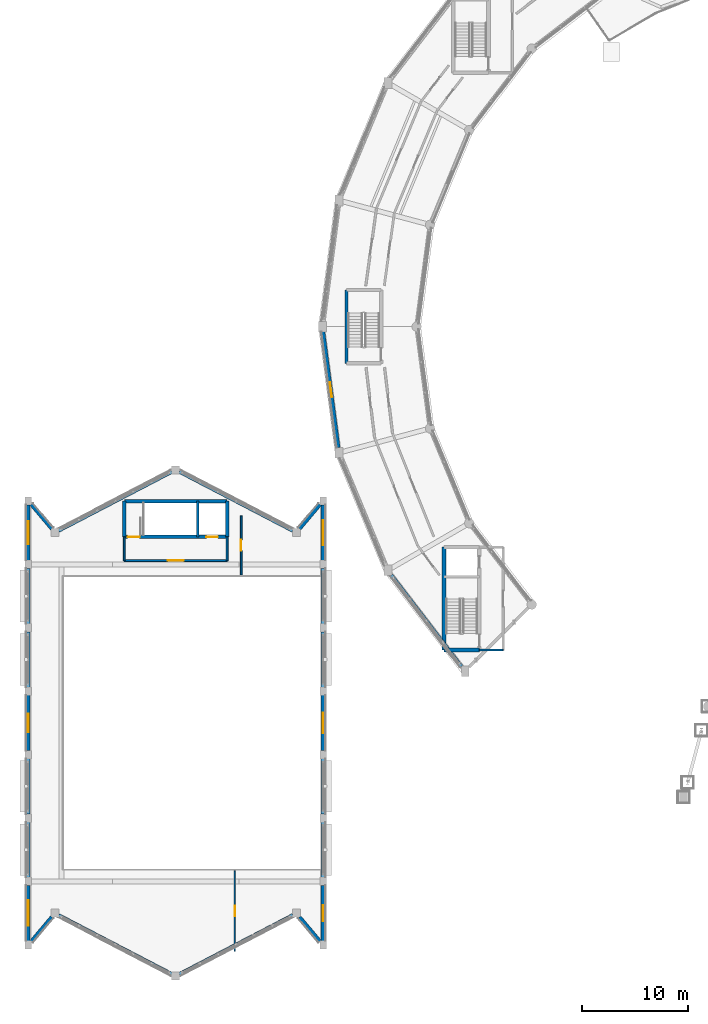
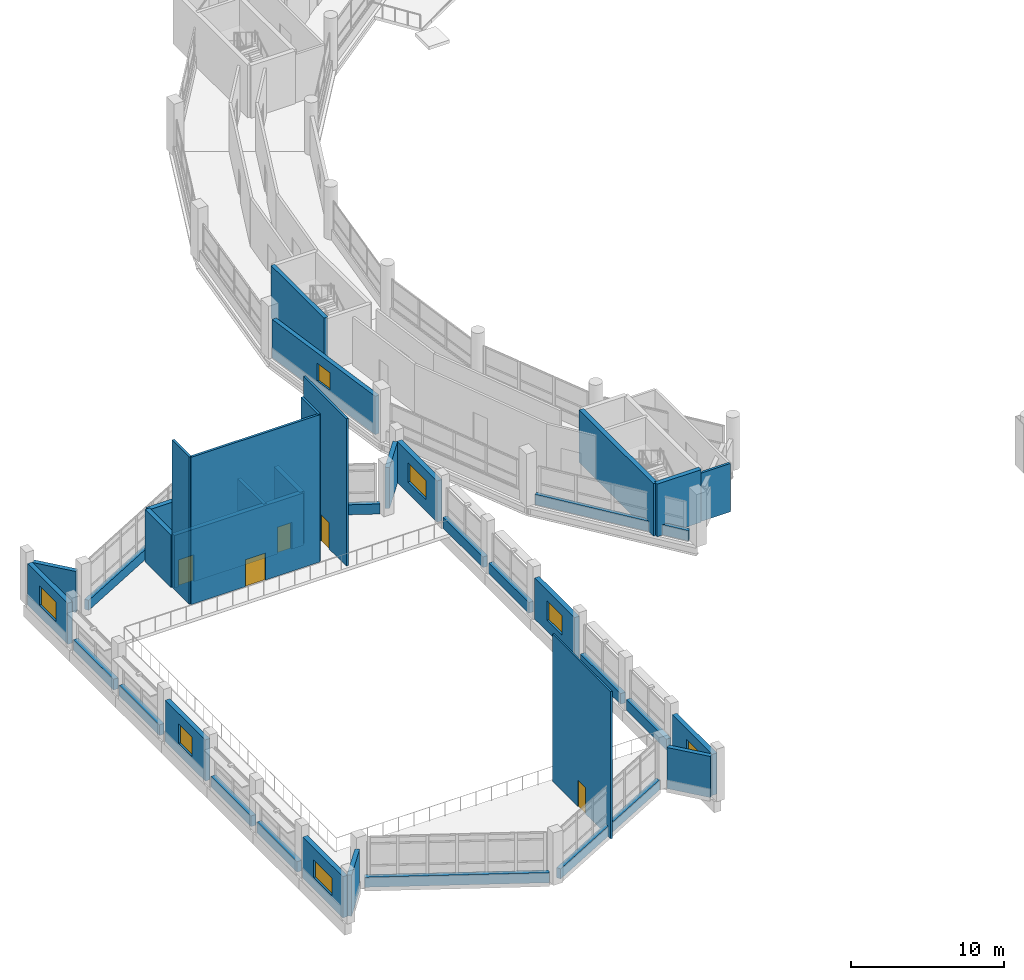
# One storey, part 108 of 128: 38 walls, 7 windows, 5 doors, 12 openings.
"""IFC4 building model written with IfcOpenShell, lengths in metres."""

from ifc_helpers import new_model, si_unit, direction, frame, frame_2d, origin, place, context, subcontext, project, spatial, rectangle, extrude, material, layer, layer_set, type_object, element, fill, save


model = new_model("IFC4")

# Units and contexts
model_context = context("Model", 3, precision=1e-05, world=origin(), true_north=direction((0.0, 1.0)))
body_context = subcontext(model_context, "Body", "Model", "MODEL_VIEW")
ifc_project = project(units=[si_unit("LENGTHUNIT", "METRE"), si_unit("AREAUNIT", "SQUARE_METRE"), si_unit("VOLUMEUNIT", "CUBIC_METRE"), si_unit("PLANEANGLEUNIT", "RADIAN"), si_unit("MASSUNIT", "GRAM", prefix="KILO")], contexts=[model_context])

# Site, building, storey
site_placement = place(None, origin())
site = spatial("IfcSite", under=ifc_project, at=site_placement, CompositionType="ELEMENT")
building_placement = place(site_placement, origin())
building = spatial("IfcBuilding", under=site, at=building_placement, Name="Vespera Passage Community Centre", CompositionType="ELEMENT")
storey_placement = place(building_placement, frame((0.0, 0.0, 4.5)))
storey = spatial("IfcBuildingStorey", under=building, at=storey_placement, Name="L01", CompositionType="ELEMENT", Elevation=4.5)

# Walls
ifc_material_1 = material(Name="Concrete f'c 45 MPa", Category="concrete")
ifc_layer_1 = layer(ifc_material_1, 0.300048828125)
ifc_layer_set_1 = layer_set([ifc_layer_1], Name="Concrete f'c 45 MPa")
wall_type_1 = type_object("IfcWallType", Name="WT-CORE-300I", PredefinedType="SHEAR", material=ifc_layer_set_1)
wall_1_placement = place(storey_placement, frame((34.14990234375, 62.02490234375, 0.0), z_axis=(0.0, 0.0, 1.0), x_axis=(0.0, 1.0, 0.0)))
element("IfcWall", 1, at=wall_1_placement, inside=storey, type_object=wall_type_1, Name="Core C2 L01 Shear Wall BACK", PredefinedType="SHEAR", context=body_context, shape_type="SweptSolid", body=[
    extrude(rectangle(XDim=6.9501953125, YDim=0.300048828125, at=frame_2d((3.47509765625, 0.0))), origin(), (0.0, 0.0, 1.0), 4.199951171875),
])
ifc_material_2 = material(Name="Concrete f'c 45 MPa", Category="concrete")
ifc_layer_2 = layer(ifc_material_2, 0.340087890625)
ifc_layer_set_2 = layer_set([ifc_layer_2], Name="Concrete f'c 45 MPa")
wall_type_2 = type_object("IfcWallType", Name="WT-CORE-340I", PredefinedType="SHEAR", material=ifc_layer_set_2)
wall_2_placement = place(storey_placement, frame((46.73095703125, 34.89990234375, 0.0), z_axis=(0.0, 0.0, 1.0), x_axis=(-1.0, 0.0, 0.0)))
element("IfcWall", 2, at=wall_2_placement, inside=storey, type_object=wall_type_2, Name="Core C3 L01 Shear Wall LEFT", PredefinedType="SHEAR", context=body_context, shape_type="SweptSolid", body=[
    extrude(rectangle(XDim=3.33984375, YDim=0.340087890625, at=frame_2d((1.669921875, 0.0))), origin(), (0.0, 0.0, 1.0), 4.199951171875),
])
wall_3_placement = place(storey_placement, frame((43.39111328125, 34.89990234375, 0.0), z_axis=(0.0, 0.0, 1.0), x_axis=(0.0, 1.0, 0.0)))
element("IfcWall", 3, at=wall_3_placement, inside=storey, type_object=wall_type_2, Name="Core C3 L01 Shear Wall BACK", PredefinedType="SHEAR", context=body_context, shape_type="SweptSolid", body=[
    extrude(rectangle(XDim=9.72998046875, YDim=0.340087890625, at=frame_2d((4.864990234375, 0.0))), origin(), (0.0, 0.0, 1.0), 4.199951171875),
])

# Wall, openings, doors
wall_4_placement = place(storey_placement, frame((22.864990234375, 45.610107421875, 0.0), z_axis=(0.0, 0.0, 1.0), x_axis=(-1.0, 0.0, 0.0)))
wall_4 = element("IfcWall", 4, at=wall_4_placement, inside=storey, type_object=wall_type_2, Name="Core C5 L01 Shear Wall FRONT", PredefinedType="SHEAR", context=body_context, shape_type="SweptSolid", body=[
    extrude(rectangle(XDim=9.72998046875, YDim=0.340087890625, at=frame_2d((4.864990234375, 0.0))), origin(), (0.0, 0.0, 1.0), 4.199951171875),
])
opening_1_placement = place(wall_4_placement, frame((8.264892578125, 0.0, 0.0)))
opening_1 = element("IfcOpeningElement", 5, at=opening_1_placement, cuts=wall_4, Name="Opening DT-STAIR-90", PredefinedType="OPENING", context=body_context, shape_type="SweptSolid", body=[
    extrude(rectangle(XDim=1.14990234375, YDim=2.14990234375, at=frame_2d((0.574951171875, 1.074951171875))), frame((0.0, 0.179931640625, 0.0), z_axis=(0.0, -1.0, 0.0), x_axis=(1.0, 0.0, 0.0)), (0.0, 0.0, 1.0), 0.360107421875),
])
opening_2_placement = place(wall_4_placement, frame((0.8701171875, 0.0, 0.0)))
opening_2 = element("IfcOpeningElement", 6, at=opening_2_placement, cuts=wall_4, Name="Opening DT-LIFT-110", PredefinedType="OPENING", context=body_context, shape_type="SweptSolid", body=[
    extrude(rectangle(XDim=1.10009765625, YDim=2.14990234375, at=frame_2d((0.550048828125, 1.074951171875))), frame((0.0, 0.179931640625, 0.0), z_axis=(0.0, -1.0, 0.0), x_axis=(1.0, 0.0, 0.0)), (0.0, 0.0, 1.0), 0.360107421875),
])
ifc_material_3 = material(Name="Painted hollow-metal acoustic door", Category="steel")
door_type_1 = type_object("IfcDoorType", Name="DT-LIFT-110", OperationType="NOTDEFINED", PredefinedType="DOOR", material=ifc_material_3)
door_1_placement = place(opening_2_placement, origin())
door_1 = element("IfcDoor", 7, at=door_1_placement, inside=storey, type_object=door_type_1, Name="Elevator EL-04 L01 Landing Door LD-025", OperationType="SLIDING_TO_LEFT", OverallHeight=2.14990234375, OverallWidth=1.10009765625, PredefinedType="DOOR", context=body_context, shape_type="SweptSolid", body=[
    extrude(rectangle(XDim=1.10009765625, YDim=2.14990234375, at=frame_2d((0.550048828125, 1.074951171875))), frame((0.0, 0.02490234375, 0.0), z_axis=(0.0, -1.0, 0.0), x_axis=(1.0, 0.0, 0.0)), (0.0, 0.0, 1.0), 0.050048828125),
])
fill(opening_2, door_1)
ifc_material_4 = material(Name="Painted hollow-metal acoustic door", Category="steel")
door_type_2 = type_object("IfcDoorType", Name="DT-STAIR-90", OperationType="NOTDEFINED", PredefinedType="DOOR", material=ifc_material_4)
door_2_placement = place(opening_1_placement, origin())
door_2 = element("IfcDoor", 8, at=door_2_placement, inside=storey, type_object=door_type_2, Name="Core C5 L01 Exit Stair Door D-104", OperationType="SINGLE_SWING_RIGHT", OverallHeight=2.14990234375, OverallWidth=1.14990234375, PredefinedType="DOOR", context=body_context, shape_type="SweptSolid", body=[
    extrude(rectangle(XDim=1.14990234375, YDim=2.14990234375, at=frame_2d((0.574951171875, 1.074951171875))), frame((0.0, 0.02490234375, 0.0), z_axis=(0.0, -1.0, 0.0), x_axis=(1.0, 0.0, 0.0)), (0.0, 0.0, 1.0), 0.050048828125),
])
fill(opening_1, door_2)

# Walls
wall_5_placement = place(storey_placement, frame((13.135009765625, 45.610107421875, 0.0), z_axis=(0.0, 0.0, 1.0), x_axis=(0.0, 1.0, 0.0)))
element("IfcWall", 9, at=wall_5_placement, inside=storey, type_object=wall_type_2, Name="Core C5 L01 Shear Wall LEFT", PredefinedType="SHEAR", context=body_context, shape_type="SweptSolid", body=[
    extrude(rectangle(XDim=3.3798828125, YDim=0.340087890625, at=frame_2d((1.68994140625, 0.0))), origin(), (0.0, 0.0, 1.0), 4.199951171875),
])
wall_6_placement = place(storey_placement, frame((13.135009765625, 48.989990234375, 0.0), z_axis=(0.0, 0.0, 1.0), x_axis=(1.0, 0.0, 0.0)))
element("IfcWall", 10, at=wall_6_placement, inside=storey, type_object=wall_type_2, Name="Core C5 L01 Shear Wall BACK", PredefinedType="SHEAR", context=body_context, shape_type="SweptSolid", body=[
    extrude(rectangle(XDim=9.72998046875, YDim=0.340087890625, at=frame_2d((4.864990234375, 0.0))), origin(), (0.0, 0.0, 1.0), 4.199951171875),
])
wall_7_placement = place(storey_placement, frame((22.864990234375, 48.989990234375, 0.0), z_axis=(0.0, 0.0, 1.0), x_axis=(0.0, -1.0, 0.0)))
element("IfcWall", 11, at=wall_7_placement, inside=storey, type_object=wall_type_2, Name="Core C5 L01 Shear Wall RIGHT", PredefinedType="SHEAR", context=body_context, shape_type="SweptSolid", body=[
    extrude(rectangle(XDim=3.3798828125, YDim=0.340087890625, at=frame_2d((1.68994140625, 0.0))), origin(), (0.0, 0.0, 1.0), 4.199951171875),
])
ifc_material_5 = material(Name="Gypsum board acoustic stud partition")
ifc_layer_3 = layer(ifc_material_5, 0.179931640625)
ifc_layer_set_3 = layer_set([ifc_layer_3], Name="Gypsum board acoustic stud partition")
wall_type_3 = type_object("IfcWallType", Name="WT-CORR-180I", PredefinedType="PARTITIONING", material=ifc_layer_set_3)
wall_8_placement = place(storey_placement, frame((46.73095703125, 34.89990234375, 0.0), z_axis=(0.0, 0.0, 1.0), x_axis=(1.0, 0.0, 0.0)))
element("IfcWall", 12, at=wall_8_placement, inside=storey, type_object=wall_type_3, Name="Core C3 L01 Lift Lobby Side Wall L", PredefinedType="PARTITIONING", context=body_context, shape_type="SweptSolid", body=[
    extrude(rectangle(XDim=2.25, YDim=0.179931640625, at=frame_2d((1.125, 0.0))), origin(), (0.0, 0.0, 1.0), 3.85498046875),
])

# Wall, opening, door
wall_9_placement = place(storey_placement, frame((13.135009765625, 43.360107421875, 0.0), z_axis=(0.0, 0.0, 1.0), x_axis=(1.0, 0.0, 0.0)))
wall_9 = element("IfcWall", 13, at=wall_9_placement, inside=storey, type_object=wall_type_3, Name="Core C5 L01 Lift Lobby Front Wall", PredefinedType="PARTITIONING", context=body_context, shape_type="SweptSolid", body=[
    extrude(rectangle(XDim=9.72998046875, YDim=0.179931640625, at=frame_2d((4.864990234375, 0.0))), origin(), (0.0, 0.0, 1.0), 11.764892578125),
])
opening_3_placement = place(wall_9_placement, frame((4.114990234375, 0.0, 0.0)))
opening_3 = element("IfcOpeningElement", 14, at=opening_3_placement, cuts=wall_9, Name="Opening DT-CORR-150", PredefinedType="OPENING", context=body_context, shape_type="SweptSolid", body=[
    extrude(rectangle(XDim=1.5, YDim=2.14990234375, at=frame_2d((0.75, 1.074951171875))), frame((0.0, 0.099853515625, 0.0), z_axis=(0.0, -1.0, 0.0), x_axis=(1.0, 0.0, 0.0)), (0.0, 0.0, 1.0), 0.199951171875),
])
ifc_material_6 = material(Name="Painted hollow-metal acoustic door", Category="steel")
door_type_3 = type_object("IfcDoorType", Name="DT-CORR-150", OperationType="NOTDEFINED", PredefinedType="DOOR", material=ifc_material_6)
door_3_placement = place(opening_3_placement, origin())
door_3 = element("IfcDoor", 15, at=door_3_placement, inside=storey, type_object=door_type_3, Name="Core C5 L01 Lift Lobby Door D-105", OperationType="SINGLE_SWING_LEFT", OverallHeight=2.14990234375, OverallWidth=1.5, PredefinedType="DOOR", context=body_context, shape_type="SweptSolid", body=[
    extrude(rectangle(XDim=1.5, YDim=2.14990234375, at=frame_2d((0.75, 1.074951171875))), frame((0.0, 0.02490234375, 0.0), z_axis=(0.0, -1.0, 0.0), x_axis=(1.0, 0.0, 0.0)), (0.0, 0.0, 1.0), 0.050048828125),
])
fill(opening_3, door_3)

# Walls
for number, where, z_axis, x_axis, name in (
    (16, (13.135009765625, 45.610107421875, 0.0), (0.0, 0.0, 1.0), (0.0, -1.0, 0.0), "Core C5 L01 Lift Lobby Side Wall L"),
    (17, (22.864990234375, 45.610107421875, 0.0), (0.0, 0.0, 1.0), (0.0, -1.0, 0.0), "Core C5 L01 Lift Lobby Side Wall R"),
):
    element("IfcWall", number, at=place(storey_placement, frame(where, z_axis=z_axis, x_axis=x_axis)), inside=storey, type_object=wall_type_3, Name=name, PredefinedType="PARTITIONING", context=body_context, shape_type="SweptSolid", body=[
        extrude(rectangle(XDim=2.25, YDim=0.179931640625, at=frame_2d((1.125, 0.0))), origin(), (0.0, 0.0, 1.0), 11.764892578125),
    ])
ifc_material_7 = material(Name="Concrete f'c 45 MPa", Category="concrete")
ifc_layer_4 = layer(ifc_material_7, 0.239990234375)
ifc_layer_set_4 = layer_set([ifc_layer_4], Name="Concrete f'c 45 MPa")
wall_type_4 = type_object("IfcWallType", Name="WT-DIV-240I", PredefinedType="SHEAR", material=ifc_layer_set_4)
wall_10_placement = place(storey_placement, frame((20.074951171875, 45.610107421875, 0.0), z_axis=(0.0, 0.0, 1.0), x_axis=(0.0, 1.0, 0.0)))
element("IfcWall", 18, at=wall_10_placement, inside=storey, type_object=wall_type_4, Name="Core C5 L01 Hoistway Divider Wall", PredefinedType="SHEAR", context=body_context, shape_type="SweptSolid", body=[
    extrude(rectangle(XDim=3.3798828125, YDim=0.239990234375, at=frame_2d((1.68994140625, 0.0))), origin(), (0.0, 0.0, 1.0), 4.199951171875),
])
ifc_material_8 = material(Name="Precast concrete f'c 40 MPa", Category="concrete")
ifc_layer_5 = layer(ifc_material_8, 0.280029296875)
ifc_layer_set_5 = layer_set([ifc_layer_5], Name="Precast concrete f'c 40 MPa")
wall_type_5 = type_object("IfcWallType", Name="WT-EXT-280E", PredefinedType="STANDARD", material=ifc_layer_set_5)
wall_11_placement = place(storey_placement, frame((45.04248046875, 33.371337890625, 0.0), z_axis=(0.0, 0.0, 1.0), x_axis=(-0.608753590889, 0.79335935463, 0.0)))
element("IfcWall", 19, at=wall_11_placement, inside=storey, type_object=wall_type_5, Name="V4 L01 Spandrel Wall O14", PredefinedType="STANDARD", context=body_context, shape_type="SweptSolid", body=[
    extrude(rectangle(XDim=10.852294921875, YDim=0.280029296875, at=frame_2d((5.42626953125, 0.0))), origin(), (0.0, 0.0, 1.0), 0.820068359375),
])

# Wall, opening, window
ifc_material_9 = material(Name="Precast concrete f'c 40 MPa", Category="concrete")
ifc_layer_6 = layer(ifc_material_9, 0.320068359375)
ifc_layer_set_6 = layer_set([ifc_layer_6], Name="Precast concrete f'c 40 MPa")
wall_type_6 = type_object("IfcWallType", Name="WT-EXT-320E", PredefinedType="STANDARD", material=ifc_layer_set_6)
wall_12_placement = place(storey_placement, frame((33.408203125, 54.043701171875, 0.0), z_axis=(0.0, 0.0, 1.0), x_axis=(-0.130513242145, 0.991446566197, 0.0)))
wall_12 = element("IfcWall", 20, at=wall_12_placement, inside=storey, type_object=wall_type_6, Name="V4 L01 Outer Precast Wall 12", PredefinedType="STANDARD", context=body_context, shape_type="SweptSolid", body=[
    extrude(rectangle(XDim=11.075927734375, YDim=0.320068359375, at=frame_2d((5.5380859375, 0.0))), origin(), (0.0, 0.0, 1.0), 3.065673828125),
])
opening_4_placement = place(wall_12_placement, frame((4.837890625, 0.0, 0.85009765625)))
opening_4 = element("IfcOpeningElement", 21, at=opening_4_placement, cuts=wall_12, Name="Opening WN-04E", PredefinedType="OPENING", context=body_context, shape_type="SweptSolid", body=[
    extrude(rectangle(XDim=1.39990234375, YDim=1.39990234375, at=frame_2d((0.699951171875, 0.699951171875))), frame((0.0, 0.170166015625, 0.0), z_axis=(0.0, -1.0, 0.0), x_axis=(1.0, 0.0, 0.0)), (0.0, 0.0, 1.0), 0.340087890625),
])
ifc_material_10 = material(Name="Low-E insulated vision glass", Category="glass")
window_type_1 = type_object("IfcWindowType", Name="WN-04E", PartitioningType="SINGLE_PANEL", PredefinedType="WINDOW", material=ifc_material_10)
window_1_placement = place(opening_4_placement, origin())
window_1 = element("IfcWindow", 22, at=window_1_placement, inside=storey, type_object=window_type_1, Name="Window WN-V4-L01-O12", OverallHeight=1.39990234375, OverallWidth=1.39990234375, PartitioningType="SINGLE_PANEL", PredefinedType="WINDOW", context=body_context, shape_type="SweptSolid", body=[
    extrude(rectangle(XDim=1.39990234375, YDim=1.39990234375, at=frame_2d((0.699951171875, 0.699951171875))), frame((0.0, 0.030029296875, 0.0), z_axis=(0.0, -1.0, 0.0), x_axis=(1.0, 0.0, 0.0)), (0.0, 0.0, 1.0), 0.06005859375),
])
fill(opening_4, window_1)

# Walls
wall_13_placement = place(storey_placement, frame((4.333984375, 48.66259765625, 0.0), z_axis=(0.0, 0.0, 1.0), x_axis=(0.643796278673, -0.765196936459, 0.0)))
element("IfcWall", 23, at=wall_13_placement, inside=storey, type_object=wall_type_6, Name="V1 L01 N Apse Wall 1", PredefinedType="STANDARD", context=body_context, shape_type="SweptSolid", body=[
    extrude(rectangle(XDim=3.012451171875, YDim=0.320068359375, at=frame_2d((1.50634765625, 0.0))), origin(), (0.0, 0.0, 1.0), 3.284912109375),
])
for number, where, z_axis, x_axis, name in (
    (24, (6.925537109375, 46.18505859375, 0.0), (0.0, 0.0, 1.0), (0.887012674584, 0.46174507591, 0.0), "V1 L01 N Apse Spandrel 2"),
    (25, (18.352783203125, 51.766357421875, 0.0), (0.0, 0.0, 1.0), (0.887012674584, -0.46174507591, 0.0), "V1 L01 N Apse Spandrel 3"),
):
    element("IfcWall", number, at=place(storey_placement, frame(where, z_axis=z_axis, x_axis=x_axis)), inside=storey, type_object=wall_type_6, Name=name, PredefinedType="STANDARD", context=body_context, shape_type="SweptSolid", body=[
        extrude(rectangle(XDim=12.08740234375, YDim=0.320068359375, at=frame_2d((6.043701171875, 0.0))), origin(), (0.0, 0.0, 1.0), 0.800048828125),
    ])
for number, where, z_axis, x_axis, name in (
    (26, (29.7265625, 46.357421875, 0.0), (0.0, 0.0, 1.0), (0.643796278673, 0.765196936459, 0.0), "V1 L01 N Apse Wall 4"),
    (27, (31.666015625, 7.33740234375, 0.0), (0.0, 0.0, 1.0), (-0.643796278673, 0.765196936459, 0.0), "V1 L01 S Apse Wall 1"),
):
    element("IfcWall", number, at=place(storey_placement, frame(where, z_axis=z_axis, x_axis=x_axis)), inside=storey, type_object=wall_type_6, Name=name, PredefinedType="STANDARD", context=body_context, shape_type="SweptSolid", body=[
        extrude(rectangle(XDim=3.012451171875, YDim=0.320068359375, at=frame_2d((1.50634765625, 0.0))), origin(), (0.0, 0.0, 1.0), 3.284912109375),
    ])
for number, where, z_axis, x_axis, name in (
    (28, (29.074462890625, 9.81494140625, 0.0), (0.0, 0.0, 1.0), (-0.887012674584, -0.46174507591, 0.0), "V1 L01 S Apse Spandrel 2"),
    (29, (17.647216796875, 4.233642578125, 0.0), (0.0, 0.0, 1.0), (-0.887012674584, 0.46174507591, 0.0), "V1 L01 S Apse Spandrel 3"),
):
    element("IfcWall", number, at=place(storey_placement, frame(where, z_axis=z_axis, x_axis=x_axis)), inside=storey, type_object=wall_type_6, Name=name, PredefinedType="STANDARD", context=body_context, shape_type="SweptSolid", body=[
        extrude(rectangle(XDim=12.08740234375, YDim=0.320068359375, at=frame_2d((6.043701171875, 0.0))), origin(), (0.0, 0.0, 1.0), 0.800048828125),
    ])
wall_14_placement = place(storey_placement, frame((6.2734375, 9.642578125, 0.0), z_axis=(0.0, 0.0, 1.0), x_axis=(-0.643796278673, -0.765196936459, 0.0)))
element("IfcWall", 30, at=wall_14_placement, inside=storey, type_object=wall_type_6, Name="V1 L01 S Apse Wall 4", PredefinedType="STANDARD", context=body_context, shape_type="SweptSolid", body=[
    extrude(rectangle(XDim=3.012451171875, YDim=0.320068359375, at=frame_2d((1.50634765625, 0.0))), origin(), (0.0, 0.0, 1.0), 3.284912109375),
])

# Wall, opening, window
ifc_material_11 = material(Name="Precast concrete f'c 40 MPa", Category="concrete")
ifc_layer_7 = layer(ifc_material_11, 0.360107421875)
ifc_layer_set_7 = layer_set([ifc_layer_7], Name="Precast concrete f'c 40 MPa")
wall_type_7 = type_object("IfcWallType", Name="WT-EXT-360E", PredefinedType="STANDARD", material=ifc_layer_set_7)
wall_15_placement = place(storey_placement, frame((4.050048828125, 7.375, 0.0), z_axis=(0.0, 0.0, 1.0), x_axis=(0.0, 1.0, 0.0)))
wall_15 = element("IfcWall", 31, at=wall_15_placement, inside=storey, type_object=wall_type_7, Name="V1 L01 Facade Wall W1", PredefinedType="STANDARD", context=body_context, shape_type="SweptSolid", body=[
    extrude(rectangle(XDim=5.25, YDim=0.360107421875, at=frame_2d((2.625, 0.0))), origin(), (0.0, 0.0, 1.0), 3.284912109375),
])
opening_5_placement = place(wall_15_placement, frame((1.425048828125, 0.0, 0.89990234375)))
opening_5 = element("IfcOpeningElement", 32, at=opening_5_placement, cuts=wall_15, Name="Opening WN-09E", PredefinedType="OPENING", context=body_context, shape_type="SweptSolid", body=[
    extrude(rectangle(XDim=2.39990234375, YDim=1.39990234375, at=frame_2d((1.199951171875, 0.699951171875))), frame((0.0, 0.190185546875, 0.0), z_axis=(0.0, -1.0, 0.0), x_axis=(1.0, 0.0, 0.0)), (0.0, 0.0, 1.0), 0.380126953125),
])
ifc_material_12 = material(Name="Low-E insulated vision glass", Category="glass")
window_type_2 = type_object("IfcWindowType", Name="WN-09E", PartitioningType="SINGLE_PANEL", PredefinedType="WINDOW", material=ifc_material_12)
window_2_placement = place(opening_5_placement, origin())
window_2 = element("IfcWindow", 33, at=window_2_placement, inside=storey, type_object=window_type_2, Name="Window WN-V1-L01-W1", OverallHeight=1.39990234375, OverallWidth=2.39990234375, PartitioningType="SINGLE_PANEL", PredefinedType="WINDOW", context=body_context, shape_type="SweptSolid", body=[
    extrude(rectangle(XDim=2.39990234375, YDim=1.39990234375, at=frame_2d((1.199951171875, 0.699951171875))), frame((0.0, 0.030029296875, 0.0), z_axis=(0.0, -1.0, 0.0), x_axis=(1.0, 0.0, 0.0)), (0.0, 0.0, 1.0), 0.06005859375),
])
fill(opening_5, window_2)

wall_16_placement = place(storey_placement, frame((31.949951171875, 12.625, 0.0), z_axis=(0.0, 0.0, 1.0), x_axis=(0.0, -1.0, 0.0)))
wall_16 = element("IfcWall", 34, at=wall_16_placement, inside=storey, type_object=wall_type_7, Name="V1 L01 Facade Wall E1", PredefinedType="STANDARD", context=body_context, shape_type="SweptSolid", body=[
    extrude(rectangle(XDim=5.25, YDim=0.360107421875, at=frame_2d((2.625, 0.0))), origin(), (0.0, 0.0, 1.0), 3.284912109375),
])
opening_6_placement = place(wall_16_placement, frame((1.875, 0.0, 0.89990234375)))
opening_6 = element("IfcOpeningElement", 35, at=opening_6_placement, cuts=wall_16, Name="Opening WN-10E", PredefinedType="OPENING", context=body_context, shape_type="SweptSolid", body=[
    extrude(rectangle(XDim=1.5, YDim=1.550048828125, at=frame_2d((0.75, 0.77490234375))), frame((0.0, 0.190185546875, 0.0), z_axis=(0.0, -1.0, 0.0), x_axis=(1.0, 0.0, 0.0)), (0.0, 0.0, 1.0), 0.380126953125),
])
ifc_material_13 = material(Name="Low-E insulated vision glass", Category="glass")
window_type_3 = type_object("IfcWindowType", Name="WN-10E", PartitioningType="SINGLE_PANEL", PredefinedType="WINDOW", material=ifc_material_13)
window_3_placement = place(opening_6_placement, origin())
window_3 = element("IfcWindow", 36, at=window_3_placement, inside=storey, type_object=window_type_3, Name="Window WN-V1-L01-E1", OverallHeight=1.550048828125, OverallWidth=1.5, PartitioningType="SINGLE_PANEL", PredefinedType="WINDOW", context=body_context, shape_type="SweptSolid", body=[
    extrude(rectangle(XDim=1.5, YDim=1.550048828125, at=frame_2d((0.75, 0.77490234375))), frame((0.0, 0.030029296875, 0.0), z_axis=(0.0, -1.0, 0.0), x_axis=(1.0, 0.0, 0.0)), (0.0, 0.0, 1.0), 0.06005859375),
])
fill(opening_6, window_3)

# Walls
for number, where, z_axis, x_axis, name in (
    (37, (4.050048828125, 13.375, 0.0), (0.0, 0.0, 1.0), (0.0, 1.0, 0.0), "V1 L01 Spandrel W2"),
    (38, (31.949951171875, 18.625, 0.0), (0.0, 0.0, 1.0), (0.0, -1.0, 0.0), "V1 L01 Spandrel E2"),
    (39, (4.050048828125, 19.375, 0.0), (0.0, 0.0, 1.0), (0.0, 1.0, 0.0), "V1 L01 Spandrel W3"),
    (40, (31.949951171875, 24.625, 0.0), (0.0, 0.0, 1.0), (0.0, -1.0, 0.0), "V1 L01 Spandrel E3"),
):
    element("IfcWall", number, at=place(storey_placement, frame(where, z_axis=z_axis, x_axis=x_axis)), inside=storey, type_object=wall_type_7, Name=name, PredefinedType="STANDARD", context=body_context, shape_type="SweptSolid", body=[
        extrude(rectangle(XDim=5.25, YDim=0.360107421875, at=frame_2d((2.625, 0.0))), origin(), (0.0, 0.0, 1.0), 0.85009765625),
    ])

# Wall, opening, window
wall_17_placement = place(storey_placement, frame((4.050048828125, 25.375, 0.0), z_axis=(0.0, 0.0, 1.0), x_axis=(0.0, 1.0, 0.0)))
wall_17 = element("IfcWall", 41, at=wall_17_placement, inside=storey, type_object=wall_type_7, Name="V1 L01 Facade Wall W4", PredefinedType="STANDARD", context=body_context, shape_type="SweptSolid", body=[
    extrude(rectangle(XDim=5.25, YDim=0.360107421875, at=frame_2d((2.625, 0.0))), origin(), (0.0, 0.0, 1.0), 3.284912109375),
])
opening_7_placement = place(wall_17_placement, frame((1.75, 0.0, 0.89990234375)))
opening_7 = element("IfcOpeningElement", 42, at=opening_7_placement, cuts=wall_17, Name="Opening WN-11E", PredefinedType="OPENING", context=body_context, shape_type="SweptSolid", body=[
    extrude(rectangle(XDim=1.75, YDim=1.550048828125, at=frame_2d((0.875, 0.77490234375))), frame((0.0, 0.190185546875, 0.0), z_axis=(0.0, -1.0, 0.0), x_axis=(1.0, 0.0, 0.0)), (0.0, 0.0, 1.0), 0.380126953125),
])
ifc_material_14 = material(Name="Low-E insulated vision glass", Category="glass")
window_type_4 = type_object("IfcWindowType", Name="WN-11E", PartitioningType="SINGLE_PANEL", PredefinedType="WINDOW", material=ifc_material_14)
window_4_placement = place(opening_7_placement, origin())
window_4 = element("IfcWindow", 43, at=window_4_placement, inside=storey, type_object=window_type_4, Name="Window WN-V1-L01-W4", OverallHeight=1.550048828125, OverallWidth=1.75, PartitioningType="SINGLE_PANEL", PredefinedType="WINDOW", context=body_context, shape_type="SweptSolid", body=[
    extrude(rectangle(XDim=1.75, YDim=1.550048828125, at=frame_2d((0.875, 0.77490234375))), frame((0.0, 0.030029296875, 0.0), z_axis=(0.0, -1.0, 0.0), x_axis=(1.0, 0.0, 0.0)), (0.0, 0.0, 1.0), 0.06005859375),
])
fill(opening_7, window_4)

wall_18_placement = place(storey_placement, frame((31.949951171875, 30.625, 0.0), z_axis=(0.0, 0.0, 1.0), x_axis=(0.0, -1.0, 0.0)))
wall_18 = element("IfcWall", 44, at=wall_18_placement, inside=storey, type_object=wall_type_7, Name="V1 L01 Facade Wall E4", PredefinedType="STANDARD", context=body_context, shape_type="SweptSolid", body=[
    extrude(rectangle(XDim=5.25, YDim=0.360107421875, at=frame_2d((2.625, 0.0))), origin(), (0.0, 0.0, 1.0), 3.284912109375),
])
opening_8_placement = place(wall_18_placement, frame((1.64990234375, 0.0, 0.89990234375)))
opening_8 = element("IfcOpeningElement", 45, at=opening_8_placement, cuts=wall_18, Name="Opening WN-12E", PredefinedType="OPENING", context=body_context, shape_type="SweptSolid", body=[
    extrude(rectangle(XDim=1.949951171875, YDim=1.550048828125, at=frame_2d((0.97509765625, 0.77490234375))), frame((0.0, 0.190185546875, 0.0), z_axis=(0.0, -1.0, 0.0), x_axis=(1.0, 0.0, 0.0)), (0.0, 0.0, 1.0), 0.380126953125),
])
ifc_material_15 = material(Name="Low-E insulated vision glass", Category="glass")
window_type_5 = type_object("IfcWindowType", Name="WN-12E", PartitioningType="SINGLE_PANEL", PredefinedType="WINDOW", material=ifc_material_15)
window_5_placement = place(opening_8_placement, origin())
window_5 = element("IfcWindow", 46, at=window_5_placement, inside=storey, type_object=window_type_5, Name="Window WN-V1-L01-E4", OverallHeight=1.550048828125, OverallWidth=1.949951171875, PartitioningType="SINGLE_PANEL", PredefinedType="WINDOW", context=body_context, shape_type="SweptSolid", body=[
    extrude(rectangle(XDim=1.949951171875, YDim=1.550048828125, at=frame_2d((0.97509765625, 0.77490234375))), frame((0.0, 0.030029296875, 0.0), z_axis=(0.0, -1.0, 0.0), x_axis=(1.0, 0.0, 0.0)), (0.0, 0.0, 1.0), 0.06005859375),
])
fill(opening_8, window_5)

# Walls
for number, where, z_axis, x_axis, name in (
    (47, (4.050048828125, 31.375, 0.0), (0.0, 0.0, 1.0), (0.0, 1.0, 0.0), "V1 L01 Spandrel W5"),
    (48, (31.949951171875, 36.625, 0.0), (0.0, 0.0, 1.0), (0.0, -1.0, 0.0), "V1 L01 Spandrel E5"),
    (49, (4.050048828125, 37.375, 0.0), (0.0, 0.0, 1.0), (0.0, 1.0, 0.0), "V1 L01 Spandrel W6"),
    (50, (31.949951171875, 42.625, 0.0), (0.0, 0.0, 1.0), (0.0, -1.0, 0.0), "V1 L01 Spandrel E6"),
):
    element("IfcWall", number, at=place(storey_placement, frame(where, z_axis=z_axis, x_axis=x_axis)), inside=storey, type_object=wall_type_7, Name=name, PredefinedType="STANDARD", context=body_context, shape_type="SweptSolid", body=[
        extrude(rectangle(XDim=5.25, YDim=0.360107421875, at=frame_2d((2.625, 0.0))), origin(), (0.0, 0.0, 1.0), 0.85009765625),
    ])

# Wall, opening, window
wall_19_placement = place(storey_placement, frame((4.050048828125, 43.375, 0.0), z_axis=(0.0, 0.0, 1.0), x_axis=(0.0, 1.0, 0.0)))
wall_19 = element("IfcWall", 51, at=wall_19_placement, inside=storey, type_object=wall_type_7, Name="V1 L01 Facade Wall W7", PredefinedType="STANDARD", context=body_context, shape_type="SweptSolid", body=[
    extrude(rectangle(XDim=5.25, YDim=0.360107421875, at=frame_2d((2.625, 0.0))), origin(), (0.0, 0.0, 1.0), 3.284912109375),
])
opening_9_placement = place(wall_19_placement, frame((1.550048828125, 0.0, 0.89990234375)))
opening_9 = element("IfcOpeningElement", 52, at=opening_9_placement, cuts=wall_19, Name="Opening WN-13E", PredefinedType="OPENING", context=body_context, shape_type="SweptSolid", body=[
    extrude(rectangle(XDim=2.14990234375, YDim=1.550048828125, at=frame_2d((1.074951171875, 0.77490234375))), frame((0.0, 0.190185546875, 0.0), z_axis=(0.0, -1.0, 0.0), x_axis=(1.0, 0.0, 0.0)), (0.0, 0.0, 1.0), 0.380126953125),
])
ifc_material_16 = material(Name="Low-E insulated vision glass", Category="glass")
window_type_6 = type_object("IfcWindowType", Name="WN-13E", PartitioningType="SINGLE_PANEL", PredefinedType="WINDOW", material=ifc_material_16)
window_6_placement = place(opening_9_placement, origin())
window_6 = element("IfcWindow", 53, at=window_6_placement, inside=storey, type_object=window_type_6, Name="Window WN-V1-L01-W7", OverallHeight=1.550048828125, OverallWidth=2.14990234375, PartitioningType="SINGLE_PANEL", PredefinedType="WINDOW", context=body_context, shape_type="SweptSolid", body=[
    extrude(rectangle(XDim=2.14990234375, YDim=1.550048828125, at=frame_2d((1.074951171875, 0.77490234375))), frame((0.0, 0.030029296875, 0.0), z_axis=(0.0, -1.0, 0.0), x_axis=(1.0, 0.0, 0.0)), (0.0, 0.0, 1.0), 0.06005859375),
])
fill(opening_9, window_6)

wall_20_placement = place(storey_placement, frame((31.949951171875, 48.625, 0.0), z_axis=(0.0, 0.0, 1.0), x_axis=(0.0, -1.0, 0.0)))
wall_20 = element("IfcWall", 54, at=wall_20_placement, inside=storey, type_object=wall_type_7, Name="V1 L01 Facade Wall E7", PredefinedType="STANDARD", context=body_context, shape_type="SweptSolid", body=[
    extrude(rectangle(XDim=5.25, YDim=0.360107421875, at=frame_2d((2.625, 0.0))), origin(), (0.0, 0.0, 1.0), 3.284912109375),
])
opening_10_placement = place(wall_20_placement, frame((1.449951171875, 0.0, 0.89990234375)))
opening_10 = element("IfcOpeningElement", 55, at=opening_10_placement, cuts=wall_20, Name="Opening WN-14E", PredefinedType="OPENING", context=body_context, shape_type="SweptSolid", body=[
    extrude(rectangle(XDim=2.35009765625, YDim=1.550048828125, at=frame_2d((1.175048828125, 0.77490234375))), frame((0.0, 0.190185546875, 0.0), z_axis=(0.0, -1.0, 0.0), x_axis=(1.0, 0.0, 0.0)), (0.0, 0.0, 1.0), 0.380126953125),
])
ifc_material_17 = material(Name="Low-E insulated vision glass", Category="glass")
window_type_7 = type_object("IfcWindowType", Name="WN-14E", PartitioningType="SINGLE_PANEL", PredefinedType="WINDOW", material=ifc_material_17)
window_7_placement = place(opening_10_placement, origin())
window_7 = element("IfcWindow", 56, at=window_7_placement, inside=storey, type_object=window_type_7, Name="Window WN-V1-L01-E7", OverallHeight=1.550048828125, OverallWidth=2.35009765625, PartitioningType="SINGLE_PANEL", PredefinedType="WINDOW", context=body_context, shape_type="SweptSolid", body=[
    extrude(rectangle(XDim=2.35009765625, YDim=1.550048828125, at=frame_2d((1.175048828125, 0.77490234375))), frame((0.0, 0.030029296875, 0.0), z_axis=(0.0, -1.0, 0.0), x_axis=(1.0, 0.0, 0.0)), (0.0, 0.0, 1.0), 0.06005859375),
])
fill(opening_10, window_7)

# Wall, opening, door
ifc_material_18 = material(Name="Gypsum board acoustic stud partition")
ifc_layer_8 = layer(ifc_material_18, 0.159912109375)
ifc_layer_set_8 = layer_set([ifc_layer_8], Name="Gypsum board acoustic stud partition")
wall_type_8 = type_object("IfcWallType", Name="WT-STC-160I", PredefinedType="PARTITIONING", material=ifc_layer_set_8)
wall_21_placement = place(storey_placement, frame((24.199951171875, 42.0, 0.0), z_axis=(0.0, 0.0, 1.0), x_axis=(0.0, 1.0, 0.0)))
wall_21 = element("IfcWall", 57, at=wall_21_placement, inside=storey, type_object=wall_type_8, Name="L01 Interior Partition V1-L01-CTRL.1", PredefinedType="PARTITIONING", context=body_context, shape_type="SweptSolid", body=[
    extrude(rectangle(XDim=5.60009765625, YDim=0.159912109375, at=frame_2d((2.800048828125, 0.0))), origin(), (0.0, 0.0, 1.0), 11.764892578125),
])
opening_11_placement = place(wall_21_placement, frame((2.27490234375, 0.0, 0.0)))
opening_11 = element("IfcOpeningElement", 58, at=opening_11_placement, cuts=wall_21, Name="Opening DT-CORR-105", PredefinedType="OPENING", context=body_context, shape_type="SweptSolid", body=[
    extrude(rectangle(XDim=1.050048828125, YDim=2.10009765625, at=frame_2d((0.52490234375, 1.050048828125))), frame((0.0, 0.090087890625, 0.0), z_axis=(0.0, -1.0, 0.0), x_axis=(1.0, 0.0, 0.0)), (0.0, 0.0, 1.0), 0.179931640625),
])
ifc_material_19 = material(Name="Painted hollow-metal acoustic door", Category="steel")
door_type_4 = type_object("IfcDoorType", Name="DT-CORR-105", OperationType="NOTDEFINED", PredefinedType="DOOR", material=ifc_material_19)
door_4_placement = place(opening_11_placement, origin())
door_4 = element("IfcDoor", 59, at=door_4_placement, inside=storey, type_object=door_type_4, Name="L01 Interior Door D-340", OperationType="SINGLE_SWING_RIGHT", OverallHeight=2.10009765625, OverallWidth=1.050048828125, PredefinedType="DOOR", context=body_context, shape_type="SweptSolid", body=[
    extrude(rectangle(XDim=1.050048828125, YDim=2.10009765625, at=frame_2d((0.52490234375, 1.050048828125))), frame((0.0, 0.02490234375, 0.0), z_axis=(0.0, -1.0, 0.0), x_axis=(1.0, 0.0, 0.0)), (0.0, 0.0, 1.0), 0.050048828125),
])
fill(opening_11, door_4)

ifc_material_20 = material(Name="Moisture-resistant gypsum stud partition")
ifc_layer_9 = layer(ifc_material_20, 0.1201171875)
ifc_layer_set_9 = layer_set([ifc_layer_9], Name="Moisture-resistant gypsum stud partition")
wall_type_9 = type_object("IfcWallType", Name="WT-WET-120I", PredefinedType="PARTITIONING", material=ifc_layer_set_9)
wall_22_placement = place(storey_placement, frame((23.60009765625, 6.39990234375, 0.0), z_axis=(0.0, 0.0, 1.0), x_axis=(0.0, 1.0, 0.0)))
wall_22 = element("IfcWall", 60, at=wall_22_placement, inside=storey, type_object=wall_type_9, Name="L01 Interior Partition V1-L01-BWC.1", PredefinedType="PARTITIONING", context=body_context, shape_type="SweptSolid", body=[
    extrude(rectangle(XDim=7.60009765625, YDim=0.1201171875, at=frame_2d((3.800048828125, 0.0))), origin(), (0.0, 0.0, 1.0), 11.764892578125),
])
opening_12_placement = place(wall_22_placement, frame((3.31005859375, 0.0, 0.0)))
opening_12 = element("IfcOpeningElement", 61, at=opening_12_placement, cuts=wall_22, Name="Opening DT-INT-98", PredefinedType="OPENING", context=body_context, shape_type="SweptSolid", body=[
    extrude(rectangle(XDim=0.97998046875, YDim=2.10009765625, at=frame_2d((0.489990234375, 1.050048828125))), frame((0.0, 0.070068359375, 0.0), z_axis=(0.0, -1.0, 0.0), x_axis=(1.0, 0.0, 0.0)), (0.0, 0.0, 1.0), 0.14013671875),
])
ifc_material_21 = material(Name="Solid-core maple veneer door", Category="wood")
door_type_5 = type_object("IfcDoorType", Name="DT-INT-98", OperationType="NOTDEFINED", PredefinedType="DOOR", material=ifc_material_21)
door_5_placement = place(opening_12_placement, origin())
door_5 = element("IfcDoor", 62, at=door_5_placement, inside=storey, type_object=door_type_5, Name="L01 Interior Door D-339", OperationType="SINGLE_SWING_LEFT", OverallHeight=2.10009765625, OverallWidth=0.97998046875, PredefinedType="DOOR", context=body_context, shape_type="SweptSolid", body=[
    extrude(rectangle(XDim=0.97998046875, YDim=2.10009765625, at=frame_2d((0.489990234375, 1.050048828125))), frame((0.0, 0.02490234375, 0.0), z_axis=(0.0, -1.0, 0.0), x_axis=(1.0, 0.0, 0.0)), (0.0, 0.0, 1.0), 0.050048828125),
])
fill(opening_12, door_5)

save(model, "model.ifc")
